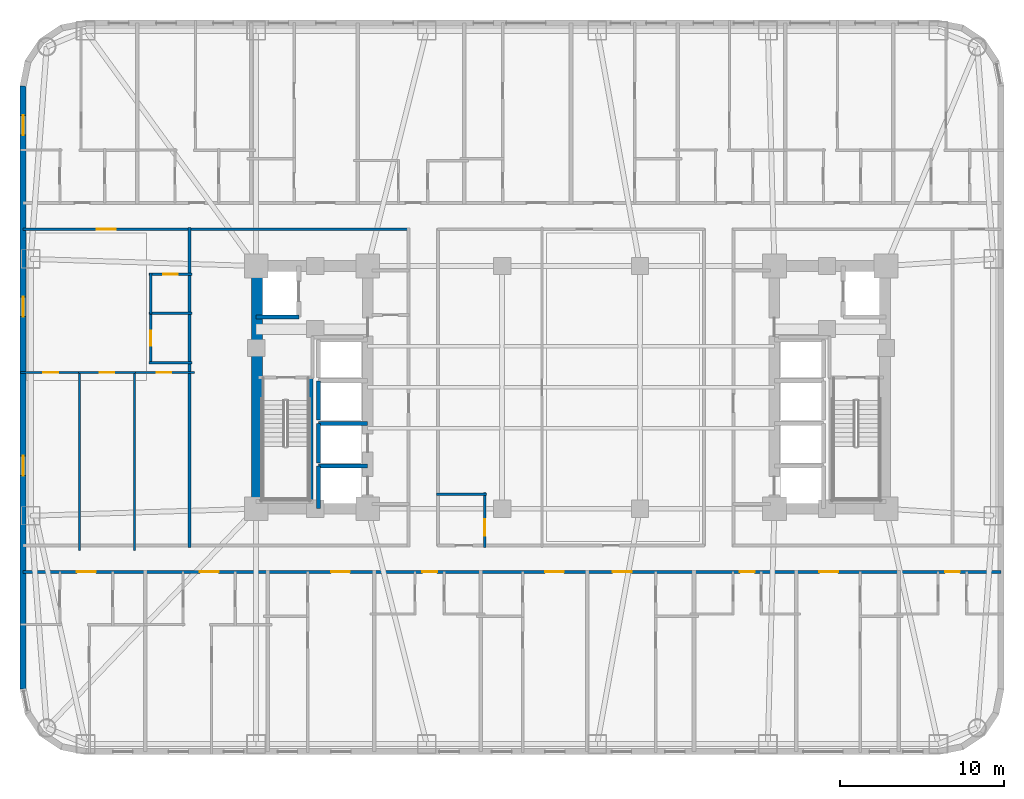
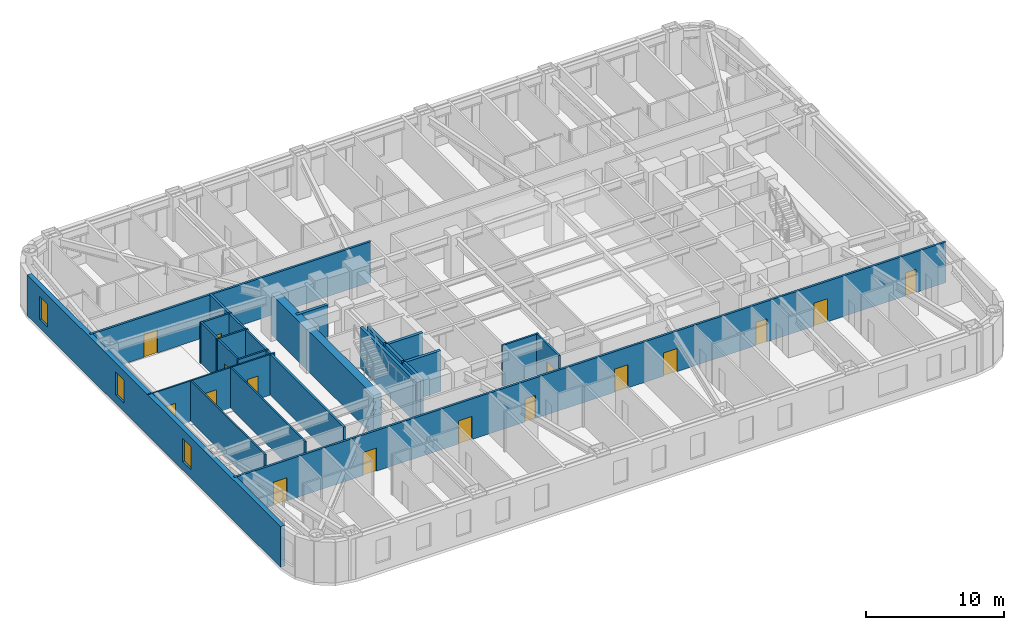
# One storey, part 4 of 11: 24 walls, 16 doors, 3 windows, 19 openings.
"""IFC4 building model written with IfcOpenShell, lengths in metres."""

from ifc_helpers import new_model, si_unit, direction, frame, frame_2d, origin, place, context, subcontext, project, spatial, rectangle, extrude, material, layer, layer_set, type_object, element, fill, save


model = new_model("IFC4")

# Units and contexts
model_context = context("Model", 3, precision=1e-05, world=origin(), true_north=direction((0.0, 1.0)))
body_context = subcontext(model_context, "Body", "Model", "MODEL_VIEW")
ifc_project = project(units=[si_unit("LENGTHUNIT", "METRE"), si_unit("AREAUNIT", "SQUARE_METRE"), si_unit("VOLUMEUNIT", "CUBIC_METRE"), si_unit("PLANEANGLEUNIT", "RADIAN"), si_unit("MASSUNIT", "GRAM", prefix="KILO")], contexts=[model_context])

# Site, building, storey
site_placement = place(None, origin())
site = spatial("IfcSite", under=ifc_project, at=site_placement, CompositionType="ELEMENT")
building_placement = place(site_placement, origin())
building = spatial("IfcBuilding", under=site, at=building_placement, Name="Voryun Gate Residences", CompositionType="ELEMENT")
storey_placement = place(building_placement, frame((0.0, 0.0, 76.699951171875)))
storey = spatial("IfcBuildingStorey", under=building, at=storey_placement, Name="L18", CompositionType="ELEMENT", Elevation=76.699951171875)

# Wall
ifc_material_1 = material(Name="Concrete C60/75", Category="concrete")
ifc_layer_1 = layer(ifc_material_1, 0.64990234375, Name="CW_CORE_650")
ifc_layer_set_1 = layer_set([ifc_layer_1], Name="Concrete C60/75")
wall_type_1 = type_object("IfcWallType", Name="CW_CORE_650", PredefinedType="SHEAR", material=ifc_layer_set_1)
wall_1_placement = place(storey_placement, frame((-19.14501953125, -7.39990234375, 0.0), z_axis=(0.0, 0.0, 1.0), x_axis=(0.0, 1.0, 0.0)))
element("IfcWall", 1, at=wall_1_placement, inside=storey, type_object=wall_type_1, Name="L18 Core shear wall CW-L18-WW", PredefinedType="SHEAR", context=body_context, shape_type="SweptSolid", body=[
    extrude(rectangle(XDim=14.7998046875, YDim=0.64990234375, at=frame_2d((7.39990234375, 0.0))), origin(), (0.0, 0.0, 1.0), 3.60009765625),
])

# Wall, opening, door
ifc_material_2 = material(Name="Gypsum acoustic fireboard")
ifc_layer_2 = layer(ifc_material_2, 0.179931640625, Name="W_CORR_RATED_180")
ifc_layer_set_2 = layer_set([ifc_layer_2], Name="Gypsum acoustic fireboard")
wall_type_2 = type_object("IfcWallType", Name="W_CORR_RATED_180", PredefinedType="PARTITIONING", material=ifc_layer_set_2)
wall_2_placement = place(storey_placement, frame((-33.409912109375, 9.639892578125, 0.0), z_axis=(0.0, 0.0, 1.0), x_axis=(1.0, 0.0, 0.0)))
wall_2 = element("IfcWall", 2, at=wall_2_placement, inside=storey, type_object=wall_type_2, Name="Partition wall WP-L18-CWING-WN", PredefinedType="PARTITIONING", context=body_context, shape_type="SweptSolid", body=[
    extrude(rectangle(XDim=23.530029296875, YDim=0.179931640625, at=frame_2d((11.76513671875, 0.0))), origin(), (0.0, 0.0, 1.0), 3.60009765625),
])
opening_1_placement = place(wall_2_placement, frame((4.490966796875, 0.0, 0.0)))
opening_1 = element("IfcOpeningElement", 3, at=opening_1_placement, cuts=wall_2, Name="Opening D-UNIT-1", PredefinedType="OPENING", context=body_context, shape_type="SweptSolid", body=[
    extrude(rectangle(XDim=1.14990234375, YDim=2.050048828125, at=frame_2d((0.574951171875, 1.02490234375))), frame((0.0, 0.099853515625, 0.0), z_axis=(0.0, -1.0, 0.0), x_axis=(1.0, 0.0, 0.0)), (0.0, 0.0, 1.0), 0.199951171875),
])
ifc_material_3 = material(Name="Armoured timber-clad fire door", Category="wood")
door_type_1 = type_object("IfcDoorType", Name="DR_UNIT_ENTRY_1150", OperationType="NOTDEFINED", PredefinedType="DOOR", material=ifc_material_3)
door_1_placement = place(opening_1_placement, origin())
door_1 = element("IfcDoor", 4, at=door_1_placement, inside=storey, type_object=door_type_1, Name="Door DR-L18-WE1N", OperationType="SINGLE_SWING_LEFT", OverallHeight=2.050048828125, OverallWidth=1.14990234375, PredefinedType="DOOR", context=body_context, shape_type="SweptSolid", body=[
    extrude(rectangle(XDim=1.14990234375, YDim=2.050048828125, at=frame_2d((0.574951171875, 1.02490234375))), frame((0.0, 0.02490234375, 0.0), z_axis=(0.0, -1.0, 0.0), x_axis=(1.0, 0.0, 0.0)), (0.0, 0.0, 1.0), 0.050048828125),
])
fill(opening_1, door_1)

# Wall, openings, doors
wall_3_placement = place(storey_placement, frame((-33.409912109375, -11.25, 0.0), z_axis=(0.0, 0.0, 1.0), x_axis=(1.0, 0.0, 0.0)))
wall_3 = element("IfcWall", 5, at=wall_3_placement, inside=storey, type_object=wall_type_2, Name="Partition wall WP-L18-SCORR", PredefinedType="PARTITIONING", context=body_context, shape_type="SweptSolid", body=[
    extrude(rectangle(XDim=59.619873046875, YDim=0.179931640625, at=frame_2d((29.81005859375, 0.0))), origin(), (0.0, 0.0, 1.0), 3.60009765625),
])
opening_2_placement = place(wall_3_placement, frame((3.282470703125, 0.0, 0.0)))
opening_2 = element("IfcOpeningElement", 6, at=opening_2_placement, cuts=wall_3, Name="Opening D-UNIT-1", PredefinedType="OPENING", context=body_context, shape_type="SweptSolid", body=[
    extrude(rectangle(XDim=1.14990234375, YDim=2.050048828125, at=frame_2d((0.574951171875, 1.02490234375))), frame((0.0, 0.099853515625, 0.0), z_axis=(0.0, -1.0, 0.0), x_axis=(1.0, 0.0, 0.0)), (0.0, 0.0, 1.0), 0.199951171875),
])
opening_3_placement = place(wall_3_placement, frame((10.770751953125, 0.0, 0.0)))
opening_3 = element("IfcOpeningElement", 7, at=opening_3_placement, cuts=wall_3, Name="Opening D-UNIT-1", PredefinedType="OPENING", context=body_context, shape_type="SweptSolid", body=[
    extrude(rectangle(XDim=1.14990234375, YDim=2.050048828125, at=frame_2d((0.574951171875, 1.02490234375))), frame((0.0, 0.099853515625, 0.0), z_axis=(0.0, -1.0, 0.0), x_axis=(1.0, 0.0, 0.0)), (0.0, 0.0, 1.0), 0.199951171875),
])
opening_4_placement = place(wall_3_placement, frame((18.777587890625, 0.0, 0.0)))
opening_4 = element("IfcOpeningElement", 8, at=opening_4_placement, cuts=wall_3, Name="Opening D-UNIT-1", PredefinedType="OPENING", context=body_context, shape_type="SweptSolid", body=[
    extrude(rectangle(XDim=1.14990234375, YDim=2.050048828125, at=frame_2d((0.574951171875, 1.02490234375))), frame((0.0, 0.099853515625, 0.0), z_axis=(0.0, -1.0, 0.0), x_axis=(1.0, 0.0, 0.0)), (0.0, 0.0, 1.0), 0.199951171875),
])
opening_5_placement = place(wall_3_placement, frame((24.340087890625, 0.0, 0.0)))
opening_5 = element("IfcOpeningElement", 9, at=opening_5_placement, cuts=wall_3, Name="Opening D-INT-2", PredefinedType="OPENING", context=body_context, shape_type="SweptSolid", body=[
    extrude(rectangle(XDim=0.89990234375, YDim=2.050048828125, at=frame_2d((0.449951171875, 1.02490234375))), frame((0.0, 0.099853515625, 0.0), z_axis=(0.0, -1.0, 0.0), x_axis=(1.0, 0.0, 0.0)), (0.0, 0.0, 1.0), 0.199951171875),
])
opening_6_placement = place(wall_3_placement, frame((31.82861328125, 0.0, 0.0)))
opening_6 = element("IfcOpeningElement", 10, at=opening_6_placement, cuts=wall_3, Name="Opening D-UNIT-1", PredefinedType="OPENING", context=body_context, shape_type="SweptSolid", body=[
    extrude(rectangle(XDim=1.14990234375, YDim=2.050048828125, at=frame_2d((0.574951171875, 1.02490234375))), frame((0.0, 0.099853515625, 0.0), z_axis=(0.0, -1.0, 0.0), x_axis=(1.0, 0.0, 0.0)), (0.0, 0.0, 1.0), 0.199951171875),
])
opening_7_placement = place(wall_3_placement, frame((35.9482421875, 0.0, 0.0)))
opening_7 = element("IfcOpeningElement", 11, at=opening_7_placement, cuts=wall_3, Name="Opening D-UNIT-1", PredefinedType="OPENING", context=body_context, shape_type="SweptSolid", body=[
    extrude(rectangle(XDim=1.14990234375, YDim=2.050048828125, at=frame_2d((0.574951171875, 1.02490234375))), frame((0.0, 0.099853515625, 0.0), z_axis=(0.0, -1.0, 0.0), x_axis=(1.0, 0.0, 0.0)), (0.0, 0.0, 1.0), 0.199951171875),
])
opening_8_placement = place(wall_3_placement, frame((43.70458984375, 0.0, 0.0)))
opening_8 = element("IfcOpeningElement", 12, at=opening_8_placement, cuts=wall_3, Name="Opening D-INT-2", PredefinedType="OPENING", context=body_context, shape_type="SweptSolid", body=[
    extrude(rectangle(XDim=0.89990234375, YDim=2.050048828125, at=frame_2d((0.449951171875, 1.02490234375))), frame((0.0, 0.099853515625, 0.0), z_axis=(0.0, -1.0, 0.0), x_axis=(1.0, 0.0, 0.0)), (0.0, 0.0, 1.0), 0.199951171875),
])
opening_9_placement = place(wall_3_placement, frame((48.552001953125, 0.0, 0.0)))
opening_9 = element("IfcOpeningElement", 13, at=opening_9_placement, cuts=wall_3, Name="Opening D-UNIT-1", PredefinedType="OPENING", context=body_context, shape_type="SweptSolid", body=[
    extrude(rectangle(XDim=1.14990234375, YDim=2.050048828125, at=frame_2d((0.574951171875, 1.02490234375))), frame((0.0, 0.099853515625, 0.0), z_axis=(0.0, -1.0, 0.0), x_axis=(1.0, 0.0, 0.0)), (0.0, 0.0, 1.0), 0.199951171875),
])
opening_10_placement = place(wall_3_placement, frame((56.212890625, 0.0, 0.0)))
opening_10 = element("IfcOpeningElement", 14, at=opening_10_placement, cuts=wall_3, Name="Opening D-INT-2", PredefinedType="OPENING", context=body_context, shape_type="SweptSolid", body=[
    extrude(rectangle(XDim=0.89990234375, YDim=2.050048828125, at=frame_2d((0.449951171875, 1.02490234375))), frame((0.0, 0.099853515625, 0.0), z_axis=(0.0, -1.0, 0.0), x_axis=(1.0, 0.0, 0.0)), (0.0, 0.0, 1.0), 0.199951171875),
])
ifc_material_4 = material(Name="Architectural oak veneer")
door_type_2 = type_object("IfcDoorType", Name="DR_INT_BATH_900", OperationType="NOTDEFINED", PredefinedType="DOOR", material=ifc_material_4)
door_2_placement = place(opening_5_placement, origin())
door_2 = element("IfcDoor", 15, at=door_2_placement, inside=storey, type_object=door_type_2, Name="Door DR-L18-SENT-4", OperationType="SINGLE_SWING_LEFT", OverallHeight=2.050048828125, OverallWidth=0.89990234375, PredefinedType="DOOR", context=body_context, shape_type="SweptSolid", body=[
    extrude(rectangle(XDim=0.89990234375, YDim=2.050048828125, at=frame_2d((0.449951171875, 1.02490234375))), frame((0.0, 0.02490234375, 0.0), z_axis=(0.0, -1.0, 0.0), x_axis=(1.0, 0.0, 0.0)), (0.0, 0.0, 1.0), 0.050048828125),
])
fill(opening_5, door_2)
door_3_placement = place(opening_8_placement, origin())
door_3 = element("IfcDoor", 16, at=door_3_placement, inside=storey, type_object=door_type_2, Name="Door DR-L18-SENT-7", OperationType="SINGLE_SWING_RIGHT", OverallHeight=2.050048828125, OverallWidth=0.89990234375, PredefinedType="DOOR", context=body_context, shape_type="SweptSolid", body=[
    extrude(rectangle(XDim=0.89990234375, YDim=2.050048828125, at=frame_2d((0.449951171875, 1.02490234375))), frame((0.0, 0.02490234375, 0.0), z_axis=(0.0, -1.0, 0.0), x_axis=(1.0, 0.0, 0.0)), (0.0, 0.0, 1.0), 0.050048828125),
])
fill(opening_8, door_3)
door_4_placement = place(opening_10_placement, origin())
door_4 = element("IfcDoor", 17, at=door_4_placement, inside=storey, type_object=door_type_2, Name="Door DR-L18-SENT-9", OperationType="SINGLE_SWING_RIGHT", OverallHeight=2.050048828125, OverallWidth=0.89990234375, PredefinedType="DOOR", context=body_context, shape_type="SweptSolid", body=[
    extrude(rectangle(XDim=0.89990234375, YDim=2.050048828125, at=frame_2d((0.449951171875, 1.02490234375))), frame((0.0, 0.02490234375, 0.0), z_axis=(0.0, -1.0, 0.0), x_axis=(1.0, 0.0, 0.0)), (0.0, 0.0, 1.0), 0.050048828125),
])
fill(opening_10, door_4)
door_5_placement = place(opening_2_placement, origin())
door_5 = element("IfcDoor", 18, at=door_5_placement, inside=storey, type_object=door_type_1, Name="Door DR-L18-SENT-1", OperationType="SINGLE_SWING_RIGHT", OverallHeight=2.050048828125, OverallWidth=1.14990234375, PredefinedType="DOOR", context=body_context, shape_type="SweptSolid", body=[
    extrude(rectangle(XDim=1.14990234375, YDim=2.050048828125, at=frame_2d((0.574951171875, 1.02490234375))), frame((0.0, 0.02490234375, 0.0), z_axis=(0.0, -1.0, 0.0), x_axis=(1.0, 0.0, 0.0)), (0.0, 0.0, 1.0), 0.050048828125),
])
fill(opening_2, door_5)
door_6_placement = place(opening_3_placement, origin())
door_6 = element("IfcDoor", 19, at=door_6_placement, inside=storey, type_object=door_type_1, Name="Door DR-L18-SENT-2", OperationType="SINGLE_SWING_LEFT", OverallHeight=2.050048828125, OverallWidth=1.14990234375, PredefinedType="DOOR", context=body_context, shape_type="SweptSolid", body=[
    extrude(rectangle(XDim=1.14990234375, YDim=2.050048828125, at=frame_2d((0.574951171875, 1.02490234375))), frame((0.0, 0.02490234375, 0.0), z_axis=(0.0, -1.0, 0.0), x_axis=(1.0, 0.0, 0.0)), (0.0, 0.0, 1.0), 0.050048828125),
])
fill(opening_3, door_6)
door_7_placement = place(opening_4_placement, origin())
door_7 = element("IfcDoor", 20, at=door_7_placement, inside=storey, type_object=door_type_1, Name="Door DR-L18-SENT-3", OperationType="SINGLE_SWING_RIGHT", OverallHeight=2.050048828125, OverallWidth=1.14990234375, PredefinedType="DOOR", context=body_context, shape_type="SweptSolid", body=[
    extrude(rectangle(XDim=1.14990234375, YDim=2.050048828125, at=frame_2d((0.574951171875, 1.02490234375))), frame((0.0, 0.02490234375, 0.0), z_axis=(0.0, -1.0, 0.0), x_axis=(1.0, 0.0, 0.0)), (0.0, 0.0, 1.0), 0.050048828125),
])
fill(opening_4, door_7)
door_8_placement = place(opening_6_placement, origin())
door_8 = element("IfcDoor", 21, at=door_8_placement, inside=storey, type_object=door_type_1, Name="Door DR-L18-SENT-5", OperationType="SINGLE_SWING_RIGHT", OverallHeight=2.050048828125, OverallWidth=1.14990234375, PredefinedType="DOOR", context=body_context, shape_type="SweptSolid", body=[
    extrude(rectangle(XDim=1.14990234375, YDim=2.050048828125, at=frame_2d((0.574951171875, 1.02490234375))), frame((0.0, 0.02490234375, 0.0), z_axis=(0.0, -1.0, 0.0), x_axis=(1.0, 0.0, 0.0)), (0.0, 0.0, 1.0), 0.050048828125),
])
fill(opening_6, door_8)
door_9_placement = place(opening_7_placement, origin())
door_9 = element("IfcDoor", 22, at=door_9_placement, inside=storey, type_object=door_type_1, Name="Door DR-L18-SENT-6", OperationType="SINGLE_SWING_LEFT", OverallHeight=2.050048828125, OverallWidth=1.14990234375, PredefinedType="DOOR", context=body_context, shape_type="SweptSolid", body=[
    extrude(rectangle(XDim=1.14990234375, YDim=2.050048828125, at=frame_2d((0.574951171875, 1.02490234375))), frame((0.0, 0.02490234375, 0.0), z_axis=(0.0, -1.0, 0.0), x_axis=(1.0, 0.0, 0.0)), (0.0, 0.0, 1.0), 0.050048828125),
])
fill(opening_7, door_9)
door_10_placement = place(opening_9_placement, origin())
door_10 = element("IfcDoor", 23, at=door_10_placement, inside=storey, type_object=door_type_1, Name="Door DR-L18-SENT-8", OperationType="SINGLE_SWING_LEFT", OverallHeight=2.050048828125, OverallWidth=1.14990234375, PredefinedType="DOOR", context=body_context, shape_type="SweptSolid", body=[
    extrude(rectangle(XDim=1.14990234375, YDim=2.050048828125, at=frame_2d((0.574951171875, 1.02490234375))), frame((0.0, 0.02490234375, 0.0), z_axis=(0.0, -1.0, 0.0), x_axis=(1.0, 0.0, 0.0)), (0.0, 0.0, 1.0), 0.050048828125),
])
fill(opening_9, door_10)

# Wall
wall_4_placement = place(storey_placement, frame((-23.27001953125, -9.760009765625, 0.0), z_axis=(0.0, 0.0, 1.0), x_axis=(0.0, 1.0, 0.0)))
element("IfcWall", 24, at=wall_4_placement, inside=storey, type_object=wall_type_2, Name="Partition wall WP-L18-WCOR", PredefinedType="PARTITIONING", context=body_context, shape_type="SweptSolid", body=[
    extrude(rectangle(XDim=19.52001953125, YDim=0.179931640625, at=frame_2d((9.760009765625, 0.0))), origin(), (0.0, 0.0, 1.0), 3.60009765625),
])

# Wall, openings, windows
ifc_material_5 = material(Name="Granite masonry", Category="masonry")
ifc_layer_3 = layer(ifc_material_5, 0.3798828125, Name="W_EXT_GRANITE_380")
ifc_layer_set_3 = layer_set([ifc_layer_3], Name="Granite masonry")
wall_type_3 = type_object("IfcWallType", Name="W_EXT_GRANITE_380", PredefinedType="ELEMENTEDWALL", material=ifc_layer_set_3)
wall_5_placement = place(storey_placement, frame((-33.409912109375, -18.38134765625, 0.0), z_axis=(0.0, 0.0, 1.0), x_axis=(0.0, 1.0, 0.0)))
wall_5 = element("IfcWall", 25, at=wall_5_placement, inside=storey, type_object=wall_type_3, Name="Exterior wall WEXT-L18-06", PredefinedType="ELEMENTEDWALL", context=body_context, shape_type="SweptSolid", body=[
    extrude(rectangle(XDim=36.7626953125, YDim=0.3798828125, at=frame_2d((18.38134765625, 0.0))), origin(), (0.0, 0.0, 1.0), 3.60009765625),
])
opening_11_placement = place(wall_5_placement, frame((33.761962890625, 0.0, 0.75)))
opening_11 = element("IfcOpeningElement", 26, at=opening_11_placement, cuts=wall_5, Name="Opening WN6", PredefinedType="OPENING", context=body_context, shape_type="SweptSolid", body=[
    extrude(rectangle(XDim=1.199951171875, YDim=2.050048828125, at=frame_2d((0.60009765625, 1.02490234375))), frame((0.0, 0.199951171875, 0.0), z_axis=(0.0, -1.0, 0.0), x_axis=(1.0, 0.0, 0.0)), (0.0, 0.0, 1.0), 0.39990234375),
])
opening_12_placement = place(wall_5_placement, frame((22.701416015625, 0.0, 0.75)))
opening_12 = element("IfcOpeningElement", 27, at=opening_12_placement, cuts=wall_5, Name="Opening WN6", PredefinedType="OPENING", context=body_context, shape_type="SweptSolid", body=[
    extrude(rectangle(XDim=1.199951171875, YDim=2.050048828125, at=frame_2d((0.60009765625, 1.02490234375))), frame((0.0, 0.199951171875, 0.0), z_axis=(0.0, -1.0, 0.0), x_axis=(1.0, 0.0, 0.0)), (0.0, 0.0, 1.0), 0.39990234375),
])
opening_13_placement = place(wall_5_placement, frame((13.001220703125, 0.0, 0.75)))
opening_13 = element("IfcOpeningElement", 28, at=opening_13_placement, cuts=wall_5, Name="Opening WN6", PredefinedType="OPENING", context=body_context, shape_type="SweptSolid", body=[
    extrude(rectangle(XDim=1.199951171875, YDim=2.050048828125, at=frame_2d((0.60009765625, 1.02490234375))), frame((0.0, 0.199951171875, 0.0), z_axis=(0.0, -1.0, 0.0), x_axis=(1.0, 0.0, 0.0)), (0.0, 0.0, 1.0), 0.39990234375),
])
ifc_material_6 = material(Name="Laminated low-E glass", Category="glass")
window_type = type_object("IfcWindowType", Name="WN_POD_SLOT_1200", PartitioningType="SINGLE_PANEL", PredefinedType="WINDOW", material=ifc_material_6)
window_1_placement = place(opening_11_placement, origin())
window_1 = element("IfcWindow", 29, at=window_1_placement, inside=storey, type_object=window_type, Name="Window WN-L18-DWFIX-01", OverallHeight=2.050048828125, OverallWidth=1.199951171875, PartitioningType="SINGLE_PANEL", PredefinedType="WINDOW", context=body_context, shape_type="SweptSolid", body=[
    extrude(rectangle(XDim=1.199951171875, YDim=2.050048828125, at=frame_2d((0.60009765625, 1.02490234375))), frame((0.0, 0.030029296875, 0.0), z_axis=(0.0, -1.0, 0.0), x_axis=(1.0, 0.0, 0.0)), (0.0, 0.0, 1.0), 0.06005859375),
])
fill(opening_11, window_1)
window_2_placement = place(opening_12_placement, origin())
window_2 = element("IfcWindow", 30, at=window_2_placement, inside=storey, type_object=window_type, Name="Window WN-L18-DWFIX-30", OverallHeight=2.050048828125, OverallWidth=1.199951171875, PartitioningType="SINGLE_PANEL", PredefinedType="WINDOW", context=body_context, shape_type="SweptSolid", body=[
    extrude(rectangle(XDim=1.199951171875, YDim=2.050048828125, at=frame_2d((0.60009765625, 1.02490234375))), frame((0.0, 0.030029296875, 0.0), z_axis=(0.0, -1.0, 0.0), x_axis=(1.0, 0.0, 0.0)), (0.0, 0.0, 1.0), 0.06005859375),
])
fill(opening_12, window_2)
window_3_placement = place(opening_13_placement, origin())
window_3 = element("IfcWindow", 31, at=window_3_placement, inside=storey, type_object=window_type, Name="Window WN-L18-DWFIX-31", OverallHeight=2.050048828125, OverallWidth=1.199951171875, PartitioningType="SINGLE_PANEL", PredefinedType="WINDOW", context=body_context, shape_type="SweptSolid", body=[
    extrude(rectangle(XDim=1.199951171875, YDim=2.050048828125, at=frame_2d((0.60009765625, 1.02490234375))), frame((0.0, 0.030029296875, 0.0), z_axis=(0.0, -1.0, 0.0), x_axis=(1.0, 0.0, 0.0)), (0.0, 0.0, 1.0), 0.06005859375),
])
fill(opening_13, window_3)

# Walls
ifc_material_7 = material(Name="Concrete C50/60", Category="concrete")
ifc_layer_4 = layer(ifc_material_7, 0.25, Name="W_SHAFT_RC250")
ifc_layer_set_4 = layer_set([ifc_layer_4], Name="Concrete C50/60")
wall_type_4 = type_object("IfcWallType", Name="W_SHAFT_RC250", PredefinedType="SOLIDWALL", material=ifc_layer_set_4)
wall_6_placement = place(storey_placement, frame((-15.860107421875, -7.0849609375, 0.0), z_axis=(0.0, 0.0, 1.0), x_axis=(0.0, 1.0, 0.0)))
element("IfcWall", 32, at=wall_6_placement, inside=storey, type_object=wall_type_4, Name="L18 Stair shaft structural wall W-STR", PredefinedType="SOLIDWALL", context=body_context, shape_type="SweptSolid", body=[
    extrude(rectangle(XDim=7.68505859375, YDim=0.25, at=frame_2d((3.842529296875, 0.0))), origin(), (0.0, 0.0, 1.0), 3.60009765625),
])
wall_7_placement = place(storey_placement, frame((-19.199951171875, 4.300048828125, 0.0), z_axis=(0.0, 0.0, 1.0), x_axis=(1.0, 0.0, 0.0)))
element("IfcWall", 33, at=wall_7_placement, inside=storey, type_object=wall_type_4, Name="Lift shaft wall WSH-L18-EL-FF-W1-S", PredefinedType="SOLIDWALL", context=body_context, shape_type="SweptSolid", body=[
    extrude(rectangle(XDim=2.599853515625, YDim=0.25, at=frame_2d((1.2998046875, 0.0))), origin(), (0.0, 0.0, 1.0), 3.60009765625),
])
wall_8_placement = place(storey_placement, frame((-12.39990234375, -4.800048828125, 0.0), z_axis=(0.0, 0.0, 1.0), x_axis=(-1.0, 0.0, 0.0)))
element("IfcWall", 34, at=wall_8_placement, inside=storey, type_object=wall_type_4, Name="Lift shaft wall WSH-L18-EL-P1-N", PredefinedType="SOLIDWALL", context=body_context, shape_type="SweptSolid", body=[
    extrude(rectangle(XDim=3.0, YDim=0.25, at=frame_2d((1.5, 0.0))), origin(), (0.0, 0.0, 1.0), 3.60009765625),
])
wall_9_placement = place(storey_placement, frame((-15.39990234375, -4.800048828125, 0.0), z_axis=(0.0, 0.0, 1.0), x_axis=(0.0, -1.0, 0.0)))
element("IfcWall", 35, at=wall_9_placement, inside=storey, type_object=wall_type_4, Name="Lift shaft wall WSH-L18-EL-P1-W", PredefinedType="SOLIDWALL", context=body_context, shape_type="SweptSolid", body=[
    extrude(rectangle(XDim=2.599853515625, YDim=0.25, at=frame_2d((1.2998046875, 0.0))), origin(), (0.0, 0.0, 1.0), 3.60009765625),
])
wall_10_placement = place(storey_placement, frame((-12.39990234375, -2.199951171875, 0.0), z_axis=(0.0, 0.0, 1.0), x_axis=(-1.0, 0.0, 0.0)))
element("IfcWall", 36, at=wall_10_placement, inside=storey, type_object=wall_type_4, Name="Lift shaft wall WSH-L18-EL-P2-N", PredefinedType="SOLIDWALL", context=body_context, shape_type="SweptSolid", body=[
    extrude(rectangle(XDim=3.0, YDim=0.25, at=frame_2d((1.5, 0.0))), origin(), (0.0, 0.0, 1.0), 3.60009765625),
])
wall_11_placement = place(storey_placement, frame((-15.39990234375, -2.199951171875, 0.0), z_axis=(0.0, 0.0, 1.0), x_axis=(0.0, -1.0, 0.0)))
element("IfcWall", 37, at=wall_11_placement, inside=storey, type_object=wall_type_4, Name="Lift shaft wall WSH-L18-EL-P2-W", PredefinedType="SOLIDWALL", context=body_context, shape_type="SweptSolid", body=[
    extrude(rectangle(XDim=2.400146484375, YDim=0.25, at=frame_2d((1.2001953125, 0.0))), origin(), (0.0, 0.0, 1.0), 3.60009765625),
])
wall_12_placement = place(storey_placement, frame((-15.39990234375, 0.39990234375, 0.0), z_axis=(0.0, 0.0, 1.0), x_axis=(0.0, -1.0, 0.0)))
element("IfcWall", 38, at=wall_12_placement, inside=storey, type_object=wall_type_4, Name="Lift shaft wall WSH-L18-EL-P4-W", PredefinedType="SOLIDWALL", context=body_context, shape_type="SweptSolid", body=[
    extrude(rectangle(XDim=2.39990234375, YDim=0.25, at=frame_2d((1.199951171875, 0.0))), origin(), (0.0, 0.0, 1.0), 3.60009765625),
])

# Wall, opening, door
ifc_material_8 = material(Name="Gypsum acoustic partition")
ifc_layer_5 = layer(ifc_material_8, 0.125, Name="W_UNIT_PART_125")
ifc_layer_set_5 = layer_set([ifc_layer_5], Name="Gypsum acoustic partition")
wall_type_5 = type_object("IfcWallType", Name="W_UNIT_PART_125", PredefinedType="PARTITIONING", material=ifc_layer_set_5)
wall_13_placement = place(storey_placement, frame((-33.56005859375, 0.909912109375, 0.0), z_axis=(0.0, 0.0, 1.0), x_axis=(1.0, 0.0, 0.0)))
wall_13 = element("IfcWall", 39, at=wall_13_placement, inside=storey, type_object=wall_type_5, Name="Partition wall WP-L18-W1-HZMB1", PredefinedType="PARTITIONING", context=body_context, shape_type="SweptSolid", body=[
    extrude(rectangle(XDim=3.655517578125, YDim=0.125, at=frame_2d((1.82763671875, 0.0))), origin(), (0.0, 0.0, 1.0), 3.60009765625),
])
opening_14_placement = place(wall_13_placement, frame((1.386474609375, 0.0, 0.0)))
opening_14 = element("IfcOpeningElement", 40, at=opening_14_placement, cuts=wall_13, Name="Opening D-INT-2", PredefinedType="OPENING", context=body_context, shape_type="SweptSolid", body=[
    extrude(rectangle(XDim=0.89990234375, YDim=2.050048828125, at=frame_2d((0.449951171875, 1.02490234375))), frame((0.0, 0.072509765625, 0.0), z_axis=(0.0, -1.0, 0.0), x_axis=(1.0, 0.0, 0.0)), (0.0, 0.0, 1.0), 0.14501953125),
])
door_11_placement = place(opening_14_placement, origin())
door_11 = element("IfcDoor", 41, at=door_11_placement, inside=storey, type_object=door_type_2, Name="Door DR-L18-W1-DMB", OperationType="SINGLE_SWING_LEFT", OverallHeight=2.050048828125, OverallWidth=0.89990234375, PredefinedType="DOOR", context=body_context, shape_type="SweptSolid", body=[
    extrude(rectangle(XDim=0.89990234375, YDim=2.050048828125, at=frame_2d((0.449951171875, 1.02490234375))), frame((0.0, 0.02490234375, 0.0), z_axis=(0.0, -1.0, 0.0), x_axis=(1.0, 0.0, 0.0)), (0.0, 0.0, 1.0), 0.050048828125),
])
fill(opening_14, door_11)

wall_14_placement = place(storey_placement, frame((-30.029541015625, 0.909912109375, 0.0), z_axis=(0.0, 0.0, 1.0), x_axis=(1.0, 0.0, 0.0)))
wall_14 = element("IfcWall", 42, at=wall_14_placement, inside=storey, type_object=wall_type_5, Name="Partition wall WP-L18-W1-HZMB2", PredefinedType="PARTITIONING", context=body_context, shape_type="SweptSolid", body=[
    extrude(rectangle(XDim=3.47314453125, YDim=0.125, at=frame_2d((1.736572265625, 0.0))), origin(), (0.0, 0.0, 1.0), 3.60009765625),
])
opening_15_placement = place(wall_14_placement, frame((1.28662109375, 0.0, 0.0)))
opening_15 = element("IfcOpeningElement", 43, at=opening_15_placement, cuts=wall_14, Name="Opening D-INT-2", PredefinedType="OPENING", context=body_context, shape_type="SweptSolid", body=[
    extrude(rectangle(XDim=0.89990234375, YDim=2.050048828125, at=frame_2d((0.449951171875, 1.02490234375))), frame((0.0, 0.072509765625, 0.0), z_axis=(0.0, -1.0, 0.0), x_axis=(1.0, 0.0, 0.0)), (0.0, 0.0, 1.0), 0.14501953125),
])
door_12_placement = place(opening_15_placement, origin())
door_12 = element("IfcDoor", 44, at=door_12_placement, inside=storey, type_object=door_type_2, Name="Door DR-L18-W1-DBD2", OperationType="SINGLE_SWING_RIGHT", OverallHeight=2.050048828125, OverallWidth=0.89990234375, PredefinedType="DOOR", context=body_context, shape_type="SweptSolid", body=[
    extrude(rectangle(XDim=0.89990234375, YDim=2.050048828125, at=frame_2d((0.449951171875, 1.02490234375))), frame((0.0, 0.02490234375, 0.0), z_axis=(0.0, -1.0, 0.0), x_axis=(1.0, 0.0, 0.0)), (0.0, 0.0, 1.0), 0.050048828125),
])
fill(opening_15, door_12)

wall_15_placement = place(storey_placement, frame((-26.681396484375, 0.909912109375, 0.0), z_axis=(0.0, 0.0, 1.0), x_axis=(1.0, 0.0, 0.0)))
wall_15 = element("IfcWall", 45, at=wall_15_placement, inside=storey, type_object=wall_type_5, Name="Partition wall WP-L18-W1-HZMB3", PredefinedType="PARTITIONING", context=body_context, shape_type="SweptSolid", body=[
    extrude(rectangle(XDim=3.7314453125, YDim=0.125, at=frame_2d((1.86572265625, 0.0))), origin(), (0.0, 0.0, 1.0), 3.60009765625),
])
opening_16_placement = place(wall_15_placement, frame((1.406982421875, 0.0, 0.0)))
opening_16 = element("IfcOpeningElement", 46, at=opening_16_placement, cuts=wall_15, Name="Opening D-INT-2", PredefinedType="OPENING", context=body_context, shape_type="SweptSolid", body=[
    extrude(rectangle(XDim=0.89990234375, YDim=2.050048828125, at=frame_2d((0.449951171875, 1.02490234375))), frame((0.0, 0.072509765625, 0.0), z_axis=(0.0, -1.0, 0.0), x_axis=(1.0, 0.0, 0.0)), (0.0, 0.0, 1.0), 0.14501953125),
])
door_13_placement = place(opening_16_placement, origin())
door_13 = element("IfcDoor", 47, at=door_13_placement, inside=storey, type_object=door_type_2, Name="Door DR-L18-W1-DBD3", OperationType="SINGLE_SWING_LEFT", OverallHeight=2.050048828125, OverallWidth=0.89990234375, PredefinedType="DOOR", context=body_context, shape_type="SweptSolid", body=[
    extrude(rectangle(XDim=0.89990234375, YDim=2.050048828125, at=frame_2d((0.449951171875, 1.02490234375))), frame((0.0, 0.02490234375, 0.0), z_axis=(0.0, -1.0, 0.0), x_axis=(1.0, 0.0, 0.0)), (0.0, 0.0, 1.0), 0.050048828125),
])
fill(opening_16, door_13)

# Walls
for number, where, z_axis, x_axis, name in (
    (48, (-26.618896484375, -9.9599609375, 0.0), (0.0, 0.0, 1.0), (0.0, 1.0, 0.0), "Partition wall WP-L18-W1-VMB2"),
    (49, (-29.967041015625, -9.9599609375, 0.0), (0.0, 0.0, 1.0), (0.0, 1.0, 0.0), "Partition wall WP-L18-W1-VMB"),
):
    element("IfcWall", number, at=place(storey_placement, frame(where, z_axis=z_axis, x_axis=x_axis)), inside=storey, type_object=wall_type_5, Name=name, PredefinedType="PARTITIONING", context=body_context, shape_type="SweptSolid", body=[
        extrude(rectangle(XDim=10.929931640625, YDim=0.125, at=frame_2d((5.46484375, 0.0))), origin(), (0.0, 0.0, 1.0), 3.60009765625),
    ])

# Wall, opening, door
ifc_material_9 = material(Name="Gypsum moisture-resistant partition")
ifc_layer_6 = layer(ifc_material_9, 0.14990234375, Name="W_WET_PLUMB_150")
ifc_layer_set_6 = layer_set([ifc_layer_6], Name="Gypsum moisture-resistant partition")
wall_type_6 = type_object("IfcWallType", Name="W_WET_PLUMB_150", PredefinedType="PLUMBINGWALL", material=ifc_layer_set_6)
wall_16_placement = place(storey_placement, frame((-5.260009765625, -9.77001953125, 0.0), z_axis=(0.0, 0.0, 1.0), x_axis=(0.0, 1.0, 0.0)))
wall_16 = element("IfcWall", 50, at=wall_16_placement, inside=storey, type_object=wall_type_6, Name="Partition wall WP-L18-CMWCX", PredefinedType="PLUMBINGWALL", context=body_context, shape_type="SweptSolid", body=[
    extrude(rectangle(XDim=3.35009765625, YDim=0.14990234375, at=frame_2d((1.675048828125, 0.0))), origin(), (0.0, 0.0, 1.0), 3.60009765625),
])
opening_17_placement = place(wall_16_placement, frame((0.735107421875, 0.0, 0.0)))
opening_17 = element("IfcOpeningElement", 51, at=opening_17_placement, cuts=wall_16, Name="Opening D-AWC-1", PredefinedType="OPENING", context=body_context, shape_type="SweptSolid", body=[
    extrude(rectangle(XDim=1.0, YDim=2.050048828125, at=frame_2d((0.5, 1.02490234375))), frame((0.0, 0.0849609375, 0.0), z_axis=(0.0, -1.0, 0.0), x_axis=(1.0, 0.0, 0.0)), (0.0, 0.0, 1.0), 0.169921875),
])
ifc_material_10 = material(Name="Architectural oak veneer")
door_type_3 = type_object("IfcDoorType", Name="DR_ACC_WC_1000", OperationType="NOTDEFINED", PredefinedType="DOOR", material=ifc_material_10)
door_14_placement = place(opening_17_placement, origin())
door_14 = element("IfcDoor", 52, at=door_14_placement, inside=storey, type_object=door_type_3, Name="Door DR-L18-CMWC", OperationType="SINGLE_SWING_LEFT", OverallHeight=2.050048828125, OverallWidth=1.0, PredefinedType="DOOR", context=body_context, shape_type="SweptSolid", body=[
    extrude(rectangle(XDim=1.0, YDim=2.050048828125, at=frame_2d((0.5, 1.02490234375))), frame((0.0, 0.02490234375, 0.0), z_axis=(0.0, -1.0, 0.0), x_axis=(1.0, 0.0, 0.0)), (0.0, 0.0, 1.0), 0.050048828125),
])
fill(opening_17, door_14)

# Wall
wall_17_placement = place(storey_placement, frame((-8.2099609375, -6.52001953125, 0.0), z_axis=(0.0, 0.0, 1.0), x_axis=(1.0, 0.0, 0.0)))
element("IfcWall", 53, at=wall_17_placement, inside=storey, type_object=wall_type_6, Name="Partition wall WP-L18-CMWCY", PredefinedType="PLUMBINGWALL", context=body_context, shape_type="SweptSolid", body=[
    extrude(rectangle(XDim=3.050048828125, YDim=0.14990234375, at=frame_2d((1.52490234375, 0.0))), origin(), (0.0, 0.0, 1.0), 3.60009765625),
])

# Wall, opening, door
wall_18_placement = place(storey_placement, frame((-25.739990234375, 6.89990234375, 0.0), z_axis=(0.0, 0.0, 1.0), x_axis=(1.0, 0.0, 0.0)))
wall_18 = element("IfcWall", 54, at=wall_18_placement, inside=storey, type_object=wall_type_6, Name="Partition wall WP-L18-W1-IBT", PredefinedType="PLUMBINGWALL", context=body_context, shape_type="SweptSolid", body=[
    extrude(rectangle(XDim=2.619873046875, YDim=0.14990234375, at=frame_2d((1.31005859375, 0.0))), origin(), (0.0, 0.0, 1.0), 3.60009765625),
])
opening_18_placement = place(wall_18_placement, frame((0.860107421875, 0.0, 0.0)))
opening_18 = element("IfcOpeningElement", 55, at=opening_18_placement, cuts=wall_18, Name="Opening D-INT-2", PredefinedType="OPENING", context=body_context, shape_type="SweptSolid", body=[
    extrude(rectangle(XDim=0.89990234375, YDim=2.050048828125, at=frame_2d((0.449951171875, 1.02490234375))), frame((0.0, 0.0849609375, 0.0), z_axis=(0.0, -1.0, 0.0), x_axis=(1.0, 0.0, 0.0)), (0.0, 0.0, 1.0), 0.169921875),
])
door_15_placement = place(opening_18_placement, origin())
door_15 = element("IfcDoor", 56, at=door_15_placement, inside=storey, type_object=door_type_2, Name="Door DR-L18-W1-DK", OperationType="SINGLE_SWING_LEFT", OverallHeight=2.050048828125, OverallWidth=0.89990234375, PredefinedType="DOOR", context=body_context, shape_type="SweptSolid", body=[
    extrude(rectangle(XDim=0.89990234375, YDim=2.050048828125, at=frame_2d((0.449951171875, 1.02490234375))), frame((0.0, 0.02490234375, 0.0), z_axis=(0.0, -1.0, 0.0), x_axis=(1.0, 0.0, 0.0)), (0.0, 0.0, 1.0), 0.050048828125),
])
fill(opening_18, door_15)

# Walls
for number, where, z_axis, x_axis, name in (
    (57, (-25.739990234375, 4.52001953125, 0.0), (0.0, 0.0, 1.0), (1.0, 0.0, 0.0), "Partition wall WP-L18-W1-IKB"),
    (58, (-25.739990234375, 1.5, 0.0), (0.0, 0.0, 1.0), (1.0, 0.0, 0.0), "Partition wall WP-L18-W1-IBB"),
):
    element("IfcWall", number, at=place(storey_placement, frame(where, z_axis=z_axis, x_axis=x_axis)), inside=storey, type_object=wall_type_6, Name=name, PredefinedType="PLUMBINGWALL", context=body_context, shape_type="SweptSolid", body=[
        extrude(rectangle(XDim=2.619873046875, YDim=0.14990234375, at=frame_2d((1.31005859375, 0.0))), origin(), (0.0, 0.0, 1.0), 3.60009765625),
    ])

# Wall, opening, door
wall_19_placement = place(storey_placement, frame((-25.6201171875, 1.43994140625, 0.0), z_axis=(0.0, 0.0, 1.0), x_axis=(0.0, 1.0, 0.0)))
wall_19 = element("IfcWall", 59, at=wall_19_placement, inside=storey, type_object=wall_type_6, Name="Partition wall WP-L18-W1-VTSK1", PredefinedType="PLUMBINGWALL", context=body_context, shape_type="SweptSolid", body=[
    extrude(rectangle(XDim=3.1201171875, YDim=0.14990234375, at=frame_2d((1.56005859375, 0.0))), origin(), (0.0, 0.0, 1.0), 3.60009765625),
])
opening_19_placement = place(wall_19_placement, frame((1.110107421875, 0.0, 0.0)))
opening_19 = element("IfcOpeningElement", 60, at=opening_19_placement, cuts=wall_19, Name="Opening D-INT-2", PredefinedType="OPENING", context=body_context, shape_type="SweptSolid", body=[
    extrude(rectangle(XDim=0.89990234375, YDim=2.050048828125, at=frame_2d((0.449951171875, 1.02490234375))), frame((0.0, 0.0849609375, 0.0), z_axis=(0.0, -1.0, 0.0), x_axis=(1.0, 0.0, 0.0)), (0.0, 0.0, 1.0), 0.169921875),
])
door_16_placement = place(opening_19_placement, origin())
door_16 = element("IfcDoor", 61, at=door_16_placement, inside=storey, type_object=door_type_2, Name="Door DR-L18-W1-DB", OperationType="SINGLE_SWING_RIGHT", OverallHeight=2.050048828125, OverallWidth=0.89990234375, PredefinedType="DOOR", context=body_context, shape_type="SweptSolid", body=[
    extrude(rectangle(XDim=0.89990234375, YDim=2.050048828125, at=frame_2d((0.449951171875, 1.02490234375))), frame((0.0, 0.02490234375, 0.0), z_axis=(0.0, -1.0, 0.0), x_axis=(1.0, 0.0, 0.0)), (0.0, 0.0, 1.0), 0.050048828125),
])
fill(opening_19, door_16)

# Wall
wall_20_placement = place(storey_placement, frame((-25.6201171875, 4.47998046875, 0.0), z_axis=(0.0, 0.0, 1.0), x_axis=(0.0, 1.0, 0.0)))
element("IfcWall", 62, at=wall_20_placement, inside=storey, type_object=wall_type_6, Name="Partition wall WP-L18-W1-VTSK2", PredefinedType="PLUMBINGWALL", context=body_context, shape_type="SweptSolid", body=[
    extrude(rectangle(XDim=2.47998046875, YDim=0.14990234375, at=frame_2d((1.239990234375, 0.0))), origin(), (0.0, 0.0, 1.0), 3.60009765625),
])

save(model, "model.ifc")
